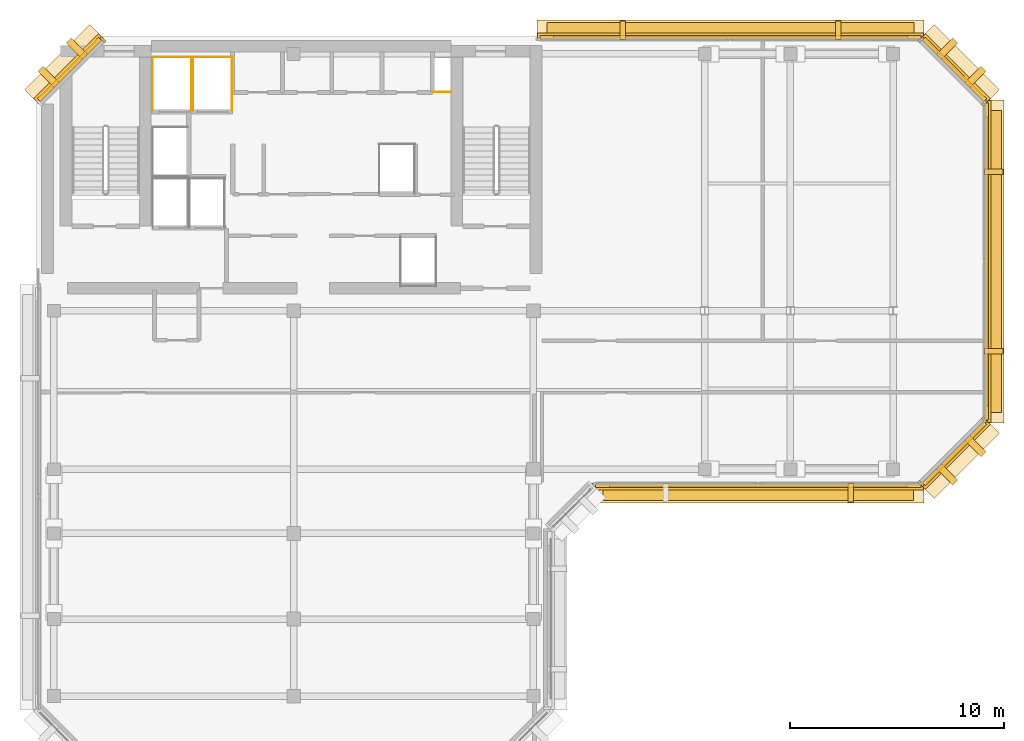
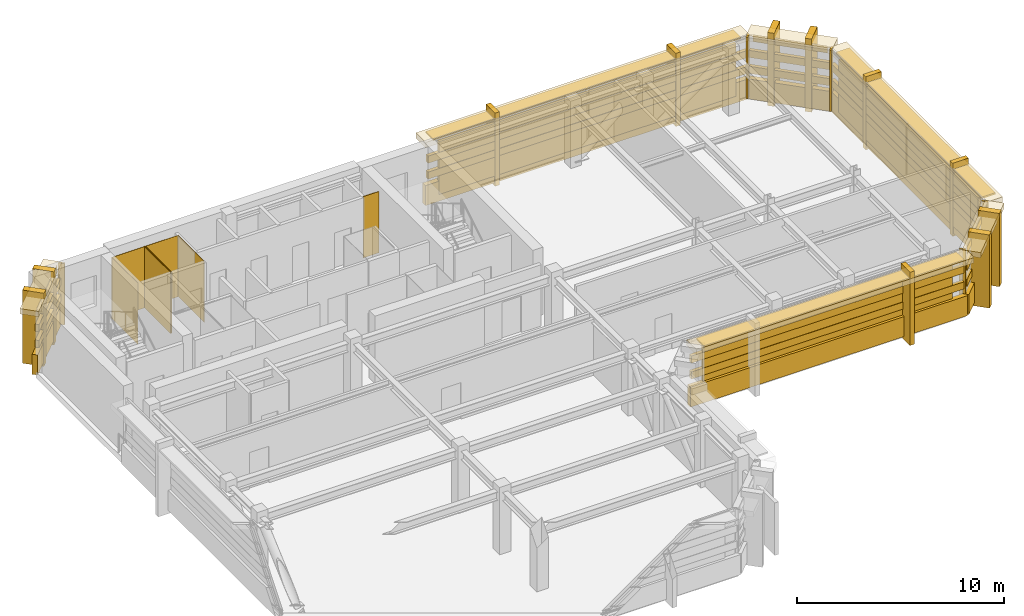
# One storey, part 9 of 9: 50 coverings, 6 shading devices.
"""IFC4 building model written with IfcOpenShell, lengths in metres."""

from ifc_helpers import new_model, si_unit, direction, frame, origin, origin_2d, place, context, subcontext, project, spatial, polyline, rectangle, outline, extrude, material, layer, layer_set, type_object, element, save


model = new_model("IFC4")

# Units and contexts
model_context = context("Model", 3, precision=1e-05, world=origin(), true_north=direction((0.0, 1.0)))
body_context = subcontext(model_context, "Body", "Model", "MODEL_VIEW")
ifc_project = project(units=[si_unit("LENGTHUNIT", "METRE"), si_unit("AREAUNIT", "SQUARE_METRE"), si_unit("VOLUMEUNIT", "CUBIC_METRE"), si_unit("PLANEANGLEUNIT", "RADIAN"), si_unit("MASSUNIT", "GRAM", prefix="KILO")], contexts=[model_context])

# Site, building, storey
site_placement = place(None, origin())
site = spatial("IfcSite", under=ifc_project, at=site_placement, CompositionType="ELEMENT")
building_placement = place(site_placement, origin())
building = spatial("IfcBuilding", under=site, at=building_placement, Name="Kefirva Bronze Tower", CompositionType="ELEMENT")
storey_placement = place(building_placement, frame((0.0, 0.0, 365.969970703125)))
storey = spatial("IfcBuildingStorey", under=building, at=storey_placement, Name="L89", CompositionType="ELEMENT", Elevation=365.969970703125)

# Coverings
ifc_material = material(Name="Bronze anodised aluminium", Category="aluminium")
ifc_layer_1 = layer(ifc_material, 0.02001953125, Name="Bronze anodised aluminium")
ifc_layer_set_1 = layer_set([ifc_layer_1], Name="Bronze anodised aluminium")
covering_type_1 = type_object("IfcCoveringType", Name="Anodised Bronze Spandrel Cladding 20mm", PredefinedType="CLADDING", material=ifc_layer_set_1)
covering_1_placement = place(storey_placement, frame((33.699951171875, 24.9599609375, -0.16015625), z_axis=(0.0, 0.0, 1.0), x_axis=(1.0, 0.0, 0.0)))
element("IfcCovering", 1, at=covering_1_placement, inside=storey, type_object=covering_type_1, Name="L89 Streamline Horizontal Spandrel Band 4", PredefinedType="CLADDING", context=body_context, shape_type="SweptSolid", body=[
    extrude(rectangle(XDim=15.43994140625, YDim=0.280029296875, at=origin_2d()), origin(), (0.0, 0.0, 1.0), 1.179931640625),
])
for number, where, z_axis, x_axis, name in (
    (2, (33.699951171875, 25.0400390625, 1.37841796875), (0.0, 0.0, 1.0), (1.0, 0.0, 0.0), "L89 Recessed Zone-Break Bronze Louvre Band 4-1"),
    (3, (33.699951171875, 25.0400390625, 2.317138671875), (0.0, 0.0, 1.0), (1.0, 0.0, 0.0), "L89 Recessed Zone-Break Bronze Louvre Band 4-2"),
):
    element("IfcCovering", number, at=place(storey_placement, frame(where, z_axis=z_axis, x_axis=x_axis)), inside=storey, type_object=covering_type_1, Name=name, PredefinedType="CLADDING", context=body_context, shape_type="SweptSolid", body=[
        extrude(rectangle(XDim=15.199951171875, YDim=0.199951171875, at=origin_2d()), origin(), (0.0, 0.0, 1.0), 0.419921875),
    ])
covering_2_placement = place(storey_placement, frame((42.906982421875, 26.492919921875, 3.190185546875), z_axis=(0.0, 0.0, 1.0), x_axis=(0.707106781187, 0.707106781187, 0.0)))
element("IfcCovering", 4, at=covering_2_placement, inside=storey, type_object=covering_type_1, Name="L89 Bronze Spandrel Cladding 4", PredefinedType="CLADDING", context=body_context, shape_type="SweptSolid", body=[
    extrude(rectangle(XDim=3.719482421875, YDim=0.02001953125, at=origin_2d()), origin(), (0.0, 0.0, 1.0), 0.39990234375),
])
for number, where, z_axis, x_axis, name in (
    (5, (41.311767578125, 25.137939453125, 0.0), (0.0, 0.0, 1.0), (0.707106781187, 0.707106781187, 0.0), "L89 Facade Joint Closure Panel 4S"),
    (6, (44.26220703125, 28.08837890625, 0.0), (0.0, 0.0, 1.0), (0.707106781187, 0.707106781187, 0.0), "L89 Facade Joint Closure Panel 4E"),
):
    element("IfcCovering", number, at=place(storey_placement, frame(where, z_axis=z_axis, x_axis=x_axis)), inside=storey, type_object=covering_type_1, Name=name, PredefinedType="CLADDING", context=body_context, shape_type="SweptSolid", body=[
        extrude(rectangle(XDim=0.10009765625, YDim=0.320068359375, at=origin_2d()), origin(), (0.0, 0.0, 1.0), 3.610107421875),
    ])
covering_3_placement = place(storey_placement, frame((42.92822265625, 26.4716796875, -0.16015625), z_axis=(0.0, 0.0, 1.0), x_axis=(0.707106781187, 0.707106781187, 0.0)))
element("IfcCovering", 7, at=covering_3_placement, inside=storey, type_object=covering_type_1, Name="L89 Streamline Horizontal Spandrel Band 5", PredefinedType="CLADDING", context=body_context, shape_type="SweptSolid", body=[
    extrude(rectangle(XDim=4.28271484375, YDim=0.280029296875, at=origin_2d()), origin(), (0.0, 0.0, 1.0), 1.179931640625),
])
for number, where, z_axis, x_axis, name in (
    (8, (42.87158203125, 26.5283203125, 1.37841796875), (0.0, 0.0, 1.0), (0.707106781187, 0.707106781187, 0.0), "L89 Recessed Zone-Break Bronze Louvre Band 5-1"),
    (9, (42.87158203125, 26.5283203125, 2.317138671875), (0.0, 0.0, 1.0), (0.707106781187, 0.707106781187, 0.0), "L89 Recessed Zone-Break Bronze Louvre Band 5-2"),
):
    element("IfcCovering", number, at=place(storey_placement, frame(where, z_axis=z_axis, x_axis=x_axis)), inside=storey, type_object=covering_type_1, Name=name, PredefinedType="CLADDING", context=body_context, shape_type="SweptSolid", body=[
        extrude(rectangle(XDim=4.04248046875, YDim=0.199951171875, at=origin_2d()), origin(), (0.0, 0.0, 1.0), 0.419921875),
    ])
covering_4_placement = place(storey_placement, frame((44.43994140625, 35.5, -0.16015625), z_axis=(0.0, 0.0, 1.0), x_axis=(0.0, 1.0, 0.0)))
element("IfcCovering", 10, at=covering_4_placement, inside=storey, type_object=covering_type_1, Name="L89 Streamline Horizontal Spandrel Band 6", PredefinedType="CLADDING", context=body_context, shape_type="SweptSolid", body=[
    extrude(rectangle(XDim=15.0400390625, YDim=0.280029296875, at=origin_2d()), origin(), (0.0, 0.0, 1.0), 1.179931640625),
])
for number, where, z_axis, x_axis, name in (
    (11, (44.360107421875, 35.5, 1.37841796875), (0.0, 0.0, 1.0), (0.0, 1.0, 0.0), "L89 Recessed Zone-Break Bronze Louvre Band 6-1"),
    (12, (44.360107421875, 35.5, 2.317138671875), (0.0, 0.0, 1.0), (0.0, 1.0, 0.0), "L89 Recessed Zone-Break Bronze Louvre Band 6-2"),
):
    element("IfcCovering", number, at=place(storey_placement, frame(where, z_axis=z_axis, x_axis=x_axis)), inside=storey, type_object=covering_type_1, Name=name, PredefinedType="CLADDING", context=body_context, shape_type="SweptSolid", body=[
        extrude(rectangle(XDim=14.800048828125, YDim=0.199951171875, at=origin_2d()), origin(), (0.0, 0.0, 1.0), 0.419921875),
    ])
covering_5_placement = place(storey_placement, frame((42.906982421875, 44.507080078125, 3.190185546875), z_axis=(0.0, 0.0, 1.0), x_axis=(-0.707106781187, 0.707106781187, 0.0)))
element("IfcCovering", 13, at=covering_5_placement, inside=storey, type_object=covering_type_1, Name="L89 Bronze Spandrel Cladding 5", PredefinedType="CLADDING", context=body_context, shape_type="SweptSolid", body=[
    extrude(rectangle(XDim=3.719482421875, YDim=0.02001953125, at=origin_2d()), origin(), (0.0, 0.0, 1.0), 0.39990234375),
])
for number, where, z_axis, x_axis, name in (
    (14, (44.26220703125, 42.91162109375, 0.0), (0.0, 0.0, 1.0), (-0.707106781187, 0.707106781187, 0.0), "L89 Facade Joint Closure Panel 5S"),
    (15, (41.311767578125, 45.862060546875, 0.0), (0.0, 0.0, 1.0), (-0.707106781187, 0.707106781187, 0.0), "L89 Facade Joint Closure Panel 5E"),
):
    element("IfcCovering", number, at=place(storey_placement, frame(where, z_axis=z_axis, x_axis=x_axis)), inside=storey, type_object=covering_type_1, Name=name, PredefinedType="CLADDING", context=body_context, shape_type="SweptSolid", body=[
        extrude(rectangle(XDim=0.10009765625, YDim=0.320068359375, at=origin_2d()), origin(), (0.0, 0.0, 1.0), 3.610107421875),
    ])
covering_6_placement = place(storey_placement, frame((42.92822265625, 44.5283203125, -0.16015625), z_axis=(0.0, 0.0, 1.0), x_axis=(-0.707106781187, 0.707106781187, 0.0)))
element("IfcCovering", 16, at=covering_6_placement, inside=storey, type_object=covering_type_1, Name="L89 Streamline Horizontal Spandrel Band 7", PredefinedType="CLADDING", context=body_context, shape_type="SweptSolid", body=[
    extrude(rectangle(XDim=4.28271484375, YDim=0.280029296875, at=origin_2d()), origin(), (0.0, 0.0, 1.0), 1.179931640625),
])
for number, where, z_axis, x_axis, name in (
    (17, (42.87158203125, 44.4716796875, 1.37841796875), (0.0, 0.0, 1.0), (-0.707106781187, 0.707106781187, 0.0), "L89 Recessed Zone-Break Bronze Louvre Band 7-1"),
    (18, (42.87158203125, 44.4716796875, 2.317138671875), (0.0, 0.0, 1.0), (-0.707106781187, 0.707106781187, 0.0), "L89 Recessed Zone-Break Bronze Louvre Band 7-2"),
):
    element("IfcCovering", number, at=place(storey_placement, frame(where, z_axis=z_axis, x_axis=x_axis)), inside=storey, type_object=covering_type_1, Name=name, PredefinedType="CLADDING", context=body_context, shape_type="SweptSolid", body=[
        extrude(rectangle(XDim=4.04248046875, YDim=0.199951171875, at=origin_2d()), origin(), (0.0, 0.0, 1.0), 0.419921875),
    ])
covering_7_placement = place(storey_placement, frame((32.402587890625, 46.0400390625, -0.16015625), z_axis=(0.0, 0.0, 1.0), x_axis=(-1.0, 0.0, 0.0)))
element("IfcCovering", 19, at=covering_7_placement, inside=storey, type_object=covering_type_1, Name="L89 Streamline Horizontal Spandrel Band 8", PredefinedType="CLADDING", context=body_context, shape_type="SweptSolid", body=[
    extrude(rectangle(XDim=18.034912109375, YDim=0.280029296875, at=origin_2d()), origin(), (0.0, 0.0, 1.0), 1.179931640625),
])
for number, where, z_axis, x_axis, name in (
    (20, (32.402587890625, 45.9599609375, 1.37841796875), (0.0, 0.0, 1.0), (-1.0, 0.0, 0.0), "L89 Recessed Zone-Break Bronze Louvre Band 8-1"),
    (21, (32.402587890625, 45.9599609375, 2.317138671875), (0.0, 0.0, 1.0), (-1.0, 0.0, 0.0), "L89 Recessed Zone-Break Bronze Louvre Band 8-2"),
):
    element("IfcCovering", number, at=place(storey_placement, frame(where, z_axis=z_axis, x_axis=x_axis)), inside=storey, type_object=covering_type_1, Name=name, PredefinedType="CLADDING", context=body_context, shape_type="SweptSolid", body=[
        extrude(rectangle(XDim=17.794921875, YDim=0.199951171875, at=origin_2d()), origin(), (0.0, 0.0, 1.0), 0.419921875),
    ])
covering_8_placement = place(storey_placement, frame((1.492919921875, 44.507080078125, 3.190185546875), z_axis=(0.0, 0.0, 1.0), x_axis=(-0.707106781187, -0.707106781187, 0.0)))
element("IfcCovering", 22, at=covering_8_placement, inside=storey, type_object=covering_type_1, Name="L89 Bronze Spandrel Cladding 6", PredefinedType="CLADDING", context=body_context, shape_type="SweptSolid", body=[
    extrude(rectangle(XDim=3.719482421875, YDim=0.02001953125, at=origin_2d()), origin(), (0.0, 0.0, 1.0), 0.39990234375),
])
covering_9_placement = place(storey_placement, frame((3.08837890625, 45.862060546875, 0.0), z_axis=(0.0, 0.0, 1.0), x_axis=(-0.707106781187, -0.707106781187, 0.0)))
element("IfcCovering", 23, at=covering_9_placement, inside=storey, type_object=covering_type_1, Name="L89 Facade Joint Closure Panel 6S", PredefinedType="CLADDING", context=body_context, shape_type="SweptSolid", body=[
    extrude(rectangle(XDim=0.10009765625, YDim=0.320068359375, at=origin_2d()), origin(), (0.0, 0.0, 1.0), 3.610107421875),
])
covering_10_placement = place(storey_placement, frame((1.4716796875, 44.5283203125, -0.16015625), z_axis=(0.0, 0.0, 1.0), x_axis=(-0.707106781187, -0.707106781187, 0.0)))
element("IfcCovering", 24, at=covering_10_placement, inside=storey, type_object=covering_type_1, Name="L89 Streamline Horizontal Spandrel Band 9", PredefinedType="CLADDING", context=body_context, shape_type="SweptSolid", body=[
    extrude(rectangle(XDim=4.28271484375, YDim=0.280029296875, at=origin_2d()), origin(), (0.0, 0.0, 1.0), 1.179931640625),
])
for number, where, z_axis, x_axis, name in (
    (25, (1.5283203125, 44.4716796875, 1.37841796875), (0.0, 0.0, 1.0), (-0.707106781187, -0.707106781187, 0.0), "L89 Recessed Zone-Break Bronze Louvre Band 9-1"),
    (26, (1.5283203125, 44.4716796875, 2.317138671875), (0.0, 0.0, 1.0), (-0.707106781187, -0.707106781187, 0.0), "L89 Recessed Zone-Break Bronze Louvre Band 9-2"),
):
    element("IfcCovering", number, at=place(storey_placement, frame(where, z_axis=z_axis, x_axis=x_axis)), inside=storey, type_object=covering_type_1, Name=name, PredefinedType="CLADDING", context=body_context, shape_type="SweptSolid", body=[
        extrude(rectangle(XDim=4.04248046875, YDim=0.199951171875, at=origin_2d()), origin(), (0.0, 0.0, 1.0), 0.419921875),
    ])
covering_11_placement = place(storey_placement, origin())
element("IfcCovering", 27, at=covering_11_placement, inside=storey, type_object=covering_type_1, Name="L89 Lift SV1 Hoistway Liner N", PredefinedType="CLADDING", context=body_context, shape_type="SweptSolid", body=[
    extrude(outline(polyline([(5.39990234375, 45.0400390625), (7.260009765625, 45.0400390625), (7.260009765625, 45.06005859375), (5.39990234375, 45.06005859375), (5.39990234375, 45.0400390625)])), origin(), (0.0, 0.0, 1.0), 3.610107421875),
])
covering_12_placement = place(storey_placement, origin())
element("IfcCovering", 28, at=covering_12_placement, inside=storey, type_object=covering_type_1, Name="L89 Lift SV1 Hoistway Liner W", PredefinedType="CLADDING", context=body_context, shape_type="SweptSolid", body=[
    extrude(outline(polyline([(5.409912109375, 42.530029296875), (5.429931640625, 42.530029296875), (5.429931640625, 45.070068359375), (5.409912109375, 45.070068359375), (5.409912109375, 42.530029296875)])), origin(), (0.0, 0.0, 1.0), 3.610107421875),
])
covering_13_placement = place(storey_placement, origin())
element("IfcCovering", 29, at=covering_13_placement, inside=storey, type_object=covering_type_1, Name="L89 Lift SV1 Hoistway Liner E", PredefinedType="CLADDING", context=body_context, shape_type="SweptSolid", body=[
    extrude(outline(polyline([(7.22998046875, 42.530029296875), (7.25, 42.530029296875), (7.25, 45.070068359375), (7.22998046875, 45.070068359375), (7.22998046875, 42.530029296875)])), origin(), (0.0, 0.0, 1.0), 3.610107421875),
])
covering_14_placement = place(storey_placement, origin())
element("IfcCovering", 30, at=covering_14_placement, inside=storey, type_object=covering_type_1, Name="L89 Lift SV2 Hoistway Liner N", PredefinedType="CLADDING", context=body_context, shape_type="SweptSolid", body=[
    extrude(outline(polyline([(7.280029296875, 45.0400390625), (9.139892578125, 45.0400390625), (9.139892578125, 45.06005859375), (7.280029296875, 45.06005859375), (7.280029296875, 45.0400390625)])), origin(), (0.0, 0.0, 1.0), 3.610107421875),
])
covering_15_placement = place(storey_placement, origin())
element("IfcCovering", 31, at=covering_15_placement, inside=storey, type_object=covering_type_1, Name="L89 Lift SV2 Hoistway Liner W", PredefinedType="CLADDING", context=body_context, shape_type="SweptSolid", body=[
    extrude(outline(polyline([(7.2900390625, 42.530029296875), (7.31005859375, 42.530029296875), (7.31005859375, 45.070068359375), (7.2900390625, 45.070068359375), (7.2900390625, 42.530029296875)])), origin(), (0.0, 0.0, 1.0), 3.610107421875),
])
covering_16_placement = place(storey_placement, origin())
element("IfcCovering", 32, at=covering_16_placement, inside=storey, type_object=covering_type_1, Name="L89 Lift SV2 Hoistway Liner E", PredefinedType="CLADDING", context=body_context, shape_type="SweptSolid", body=[
    extrude(outline(polyline([(9.110107421875, 42.530029296875), (9.1298828125, 42.530029296875), (9.1298828125, 45.070068359375), (9.110107421875, 45.070068359375), (9.110107421875, 42.530029296875)])), origin(), (0.0, 0.0, 1.0), 3.610107421875),
])
covering_17_placement = place(storey_placement, origin())
element("IfcCovering", 33, at=covering_17_placement, inside=storey, type_object=covering_type_1, Name="L89 Core MEP Riser Shaft Liner South", PredefinedType="CLADDING", context=body_context, shape_type="SweptSolid", body=[
    extrude(outline(polyline([(18.47998046875, 43.39990234375), (19.360107421875, 43.39990234375), (19.360107421875, 43.429931640625), (18.47998046875, 43.429931640625), (18.47998046875, 43.39990234375)])), origin(), (0.0, 0.0, 1.0), 3.610107421875),
])

# Shading devices
ifc_layer_2 = layer(ifc_material, 0.090087890625, Name="Bronze anodised aluminium")
ifc_layer_set_2 = layer_set([ifc_layer_2], Name="Bronze anodised aluminium")
shading_device_type_1 = type_object("IfcShadingDeviceType", Name="Horizontal Bronze Sunshade Band 750mm", PredefinedType="JALOUSIE", material=ifc_layer_set_2)
shading_device_1_placement = place(storey_placement, frame((33.699951171875, 24.705078125, 3.5048828125), z_axis=(0.0, 0.0, 1.0), x_axis=(1.0, 0.0, 0.0)))
element("IfcShadingDevice", 34, at=shading_device_1_placement, inside=storey, type_object=shading_device_type_1, Name="L89 Horizontal Bronze Sunshade Band 4", PredefinedType="JALOUSIE", context=body_context, shape_type="SweptSolid", body=[
    extrude(rectangle(XDim=14.489990234375, YDim=0.75, at=origin_2d()), origin(), (0.0, 0.0, 1.0), 0.090087890625),
])
shading_device_2_placement = place(storey_placement, frame((44.695068359375, 35.5, 3.5048828125), z_axis=(0.0, 0.0, 1.0), x_axis=(0.0, 1.0, 0.0)))
element("IfcShadingDevice", 35, at=shading_device_2_placement, inside=storey, type_object=shading_device_type_1, Name="L89 Horizontal Bronze Sunshade Band 6", PredefinedType="JALOUSIE", context=body_context, shape_type="SweptSolid", body=[
    extrude(rectangle(XDim=14.090087890625, YDim=0.75, at=origin_2d()), origin(), (0.0, 0.0, 1.0), 0.090087890625),
])
shading_device_3_placement = place(storey_placement, frame((32.402587890625, 46.294921875, 3.5048828125), z_axis=(0.0, 0.0, 1.0), x_axis=(-1.0, 0.0, 0.0)))
element("IfcShadingDevice", 36, at=shading_device_3_placement, inside=storey, type_object=shading_device_type_1, Name="L89 Horizontal Bronze Sunshade Band 8", PredefinedType="JALOUSIE", context=body_context, shape_type="SweptSolid", body=[
    extrude(rectangle(XDim=17.139892578125, YDim=0.75, at=origin_2d()), origin(), (0.0, 0.0, 1.0), 0.090087890625),
])
ifc_layer_3 = layer(ifc_material, 0.159912109375, Name="Bronze anodised aluminium")
ifc_layer_set_3 = layer_set([ifc_layer_3], Name="Bronze anodised aluminium")
shading_device_type_2 = type_object("IfcShadingDeviceType", Name="Recessed Zone-Break Acoustic Louvre Screen", PredefinedType="SHUTTER", material=ifc_layer_set_3)
shading_device_4_placement = place(storey_placement, frame((33.699951171875, 25.0400390625, 0.25), z_axis=(0.0, 0.0, 1.0), x_axis=(1.0, 0.0, 0.0)))
element("IfcShadingDevice", 37, at=shading_device_4_placement, inside=storey, type_object=shading_device_type_2, Name="L89 Acoustic Plant Louvre Screen 4", PredefinedType="SHUTTER", context=body_context, shape_type="SweptSolid", body=[
    extrude(rectangle(XDim=13.889892578125, YDim=0.159912109375, at=origin_2d()), origin(), (0.0, 0.0, 1.0), 3.110107421875),
])
shading_device_5_placement = place(storey_placement, frame((44.360107421875, 35.5, 0.25), z_axis=(0.0, 0.0, 1.0), x_axis=(0.0, 1.0, 0.0)))
element("IfcShadingDevice", 38, at=shading_device_5_placement, inside=storey, type_object=shading_device_type_2, Name="L89 Acoustic Plant Louvre Screen 6", PredefinedType="SHUTTER", context=body_context, shape_type="SweptSolid", body=[
    extrude(rectangle(XDim=13.489990234375, YDim=0.159912109375, at=origin_2d()), origin(), (0.0, 0.0, 1.0), 3.110107421875),
])
shading_device_6_placement = place(storey_placement, frame((32.402587890625, 45.9599609375, 0.25), z_axis=(0.0, 0.0, 1.0), x_axis=(-1.0, 0.0, 0.0)))
element("IfcShadingDevice", 39, at=shading_device_6_placement, inside=storey, type_object=shading_device_type_2, Name="L89 Acoustic Plant Louvre Screen 8", PredefinedType="SHUTTER", context=body_context, shape_type="SweptSolid", body=[
    extrude(rectangle(XDim=16.5400390625, YDim=0.159912109375, at=origin_2d()), origin(), (0.0, 0.0, 1.0), 3.110107421875),
])

# Coverings
ifc_layer_4 = layer(ifc_material, 0.179931640625, Name="Bronze anodised aluminium")
ifc_layer_set_4 = layer_set([ifc_layer_4], Name="Bronze anodised aluminium")
covering_type_2 = type_object("IfcCoveringType", Name="Streamline Bronze Sunshade Eyebrow Cladding 180mm", PredefinedType="CLADDING", material=ifc_layer_set_4)
covering_18_placement = place(storey_placement, frame((33.699951171875, 24.68994140625, 3.2900390625), z_axis=(0.0, 0.0, 1.0), x_axis=(1.0, 0.0, 0.0)))
element("IfcCovering", 40, at=covering_18_placement, inside=storey, type_object=covering_type_2, Name="L89 Streamline Bronze Sunshade Eyebrow 4", PredefinedType="CLADDING", context=body_context, shape_type="SweptSolid", body=[
    extrude(rectangle(XDim=15.47998046875, YDim=0.93994140625, at=origin_2d()), origin(), (0.0, 0.0, 1.0), 0.320068359375),
])
covering_19_placement = place(storey_placement, frame((43.119140625, 26.28076171875, 3.2900390625), z_axis=(0.0, 0.0, 1.0), x_axis=(0.707106781187, 0.707106781187, 0.0)))
element("IfcCovering", 41, at=covering_19_placement, inside=storey, type_object=covering_type_2, Name="L89 Streamline Bronze Sunshade Eyebrow 5", PredefinedType="CLADDING", context=body_context, shape_type="SweptSolid", body=[
    extrude(rectangle(XDim=4.322509765625, YDim=0.93994140625, at=origin_2d()), origin(), (0.0, 0.0, 1.0), 0.320068359375),
])
covering_20_placement = place(storey_placement, frame((44.7099609375, 35.5, 3.2900390625), z_axis=(0.0, 0.0, 1.0), x_axis=(0.0, 1.0, 0.0)))
element("IfcCovering", 42, at=covering_20_placement, inside=storey, type_object=covering_type_2, Name="L89 Streamline Bronze Sunshade Eyebrow 6", PredefinedType="CLADDING", context=body_context, shape_type="SweptSolid", body=[
    extrude(rectangle(XDim=15.080078125, YDim=0.93994140625, at=origin_2d()), origin(), (0.0, 0.0, 1.0), 0.320068359375),
])
covering_21_placement = place(storey_placement, frame((43.119140625, 44.71923828125, 3.2900390625), z_axis=(0.0, 0.0, 1.0), x_axis=(-0.707106781187, 0.707106781187, 0.0)))
element("IfcCovering", 43, at=covering_21_placement, inside=storey, type_object=covering_type_2, Name="L89 Streamline Bronze Sunshade Eyebrow 7", PredefinedType="CLADDING", context=body_context, shape_type="SweptSolid", body=[
    extrude(rectangle(XDim=4.322509765625, YDim=0.93994140625, at=origin_2d()), origin(), (0.0, 0.0, 1.0), 0.320068359375),
])
covering_22_placement = place(storey_placement, frame((32.402587890625, 46.31005859375, 3.2900390625), z_axis=(0.0, 0.0, 1.0), x_axis=(-1.0, 0.0, 0.0)))
element("IfcCovering", 44, at=covering_22_placement, inside=storey, type_object=covering_type_2, Name="L89 Streamline Bronze Sunshade Eyebrow 8", PredefinedType="CLADDING", context=body_context, shape_type="SweptSolid", body=[
    extrude(rectangle(XDim=18.074951171875, YDim=0.93994140625, at=origin_2d()), origin(), (0.0, 0.0, 1.0), 0.320068359375),
])
covering_23_placement = place(storey_placement, frame((1.28076171875, 44.71923828125, 3.2900390625), z_axis=(0.0, 0.0, 1.0), x_axis=(-0.707106781187, -0.707106781187, 0.0)))
element("IfcCovering", 45, at=covering_23_placement, inside=storey, type_object=covering_type_2, Name="L89 Streamline Bronze Sunshade Eyebrow 9", PredefinedType="CLADDING", context=body_context, shape_type="SweptSolid", body=[
    extrude(rectangle(XDim=4.322509765625, YDim=0.93994140625, at=origin_2d()), origin(), (0.0, 0.0, 1.0), 0.320068359375),
])
ifc_layer_5 = layer(ifc_material, 0.260009765625, Name="Bronze anodised aluminium")
ifc_layer_set_5 = layer_set([ifc_layer_5], Name="Bronze anodised aluminium")
covering_type_3 = type_object("IfcCoveringType", Name="Unbroken Bronze Buttress Fin Cladding 260mm", PredefinedType="CLADDING", material=ifc_layer_set_5)
covering_24_placement = place(storey_placement, frame((38.011962890625, 24.699951171875, -0.35009765625), z_axis=(0.0, 0.0, 1.0), x_axis=(1.0, 0.0, 0.0)))
element("IfcCovering", 46, at=covering_24_placement, inside=storey, type_object=covering_type_3, Name="L89 Unbroken Vertical Bronze Rib Fin 10", PredefinedType="CLADDING", context=body_context, shape_type="SweptSolid", body=[
    extrude(rectangle(XDim=0.260009765625, YDim=0.8798828125, at=origin_2d()), origin(), (0.0, 0.0, 1.0), 4.31005859375),
])
for number, where, z_axis, x_axis, name in (
    (47, (42.522705078125, 25.55712890625, -0.35009765625), (0.0, 0.0, 1.0), (0.707106781187, 0.707106781187, 0.0), "L89 Chamfered Corner Buttress Fin Cladding 11"),
    (48, (43.8427734375, 26.877197265625, -0.35009765625), (0.0, 0.0, 1.0), (0.707106781187, 0.707106781187, 0.0), "L89 Chamfered Corner Buttress Fin Cladding 12"),
):
    element("IfcCovering", number, at=place(storey_placement, frame(where, z_axis=z_axis, x_axis=x_axis)), inside=storey, type_object=covering_type_3, Name=name, PredefinedType="CLADDING", context=body_context, shape_type="SweptSolid", body=[
        extrude(rectangle(XDim=0.340087890625, YDim=1.080078125, at=origin_2d()), origin(), (0.0, 0.0, 1.0), 4.31005859375),
    ])
for number, where, z_axis, x_axis, name in (
    (49, (44.699951171875, 31.300048828125, -0.35009765625), (0.0, 0.0, 1.0), (0.0, 1.0, 0.0), "L89 Unbroken Vertical Bronze Rib Fin 13"),
    (50, (44.699951171875, 39.699951171875, -0.35009765625), (0.0, 0.0, 1.0), (0.0, 1.0, 0.0), "L89 Unbroken Vertical Bronze Rib Fin 14"),
):
    element("IfcCovering", number, at=place(storey_placement, frame(where, z_axis=z_axis, x_axis=x_axis)), inside=storey, type_object=covering_type_3, Name=name, PredefinedType="CLADDING", context=body_context, shape_type="SweptSolid", body=[
        extrude(rectangle(XDim=0.260009765625, YDim=0.8798828125, at=origin_2d()), origin(), (0.0, 0.0, 1.0), 4.31005859375),
    ])
for number, where, z_axis, x_axis, name in (
    (51, (43.8427734375, 44.122802734375, -0.35009765625), (0.0, 0.0, 1.0), (-0.707106781187, 0.707106781187, 0.0), "L89 Chamfered Corner Buttress Fin Cladding 15"),
    (52, (42.522705078125, 45.44287109375, -0.35009765625), (0.0, 0.0, 1.0), (-0.707106781187, 0.707106781187, 0.0), "L89 Chamfered Corner Buttress Fin Cladding 16"),
):
    element("IfcCovering", number, at=place(storey_placement, frame(where, z_axis=z_axis, x_axis=x_axis)), inside=storey, type_object=covering_type_3, Name=name, PredefinedType="CLADDING", context=body_context, shape_type="SweptSolid", body=[
        extrude(rectangle(XDim=0.340087890625, YDim=1.080078125, at=origin_2d()), origin(), (0.0, 0.0, 1.0), 4.31005859375),
    ])
for number, where, z_axis, x_axis, name in (
    (53, (37.441162109375, 46.300048828125, -0.35009765625), (0.0, 0.0, 1.0), (-1.0, 0.0, 0.0), "L89 Unbroken Vertical Bronze Rib Fin 17"),
    (54, (27.364013671875, 46.300048828125, -0.35009765625), (0.0, 0.0, 1.0), (-1.0, 0.0, 0.0), "L89 Unbroken Vertical Bronze Rib Fin 18"),
):
    element("IfcCovering", number, at=place(storey_placement, frame(where, z_axis=z_axis, x_axis=x_axis)), inside=storey, type_object=covering_type_3, Name=name, PredefinedType="CLADDING", context=body_context, shape_type="SweptSolid", body=[
        extrude(rectangle(XDim=0.260009765625, YDim=0.8798828125, at=origin_2d()), origin(), (0.0, 0.0, 1.0), 4.31005859375),
    ])
for number, where, z_axis, x_axis, name in (
    (55, (1.877197265625, 45.44287109375, -0.35009765625), (0.0, 0.0, 1.0), (-0.707106781187, -0.707106781187, 0.0), "L89 Chamfered Corner Buttress Fin Cladding 19"),
    (56, (0.55712890625, 44.122802734375, -0.35009765625), (0.0, 0.0, 1.0), (-0.707106781187, -0.707106781187, 0.0), "L89 Chamfered Corner Buttress Fin Cladding 20"),
):
    element("IfcCovering", number, at=place(storey_placement, frame(where, z_axis=z_axis, x_axis=x_axis)), inside=storey, type_object=covering_type_3, Name=name, PredefinedType="CLADDING", context=body_context, shape_type="SweptSolid", body=[
        extrude(rectangle(XDim=0.340087890625, YDim=1.080078125, at=origin_2d()), origin(), (0.0, 0.0, 1.0), 4.31005859375),
    ])

save(model, "model.ifc")
